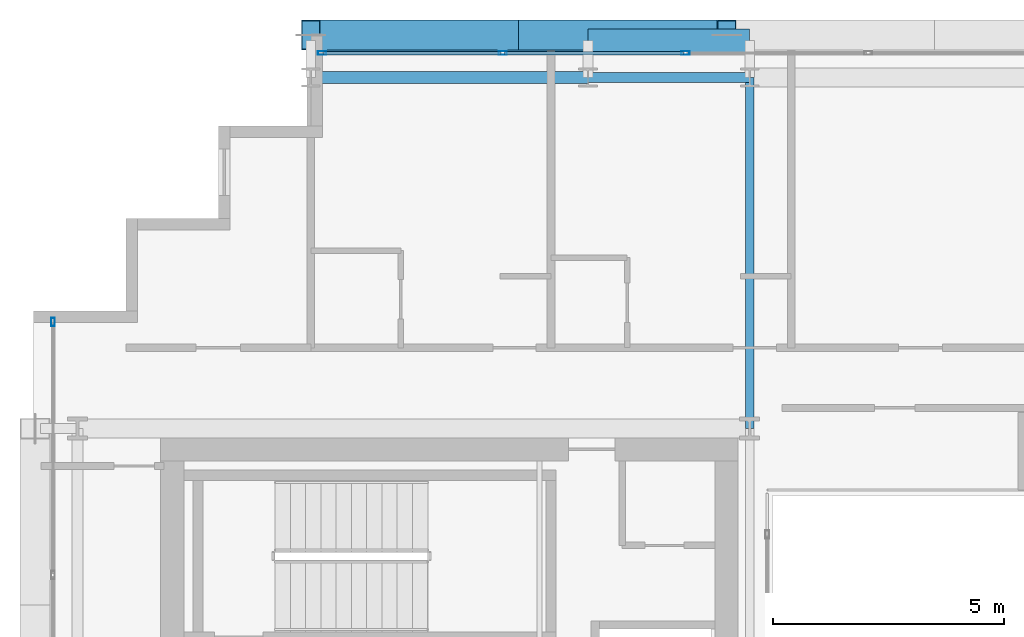
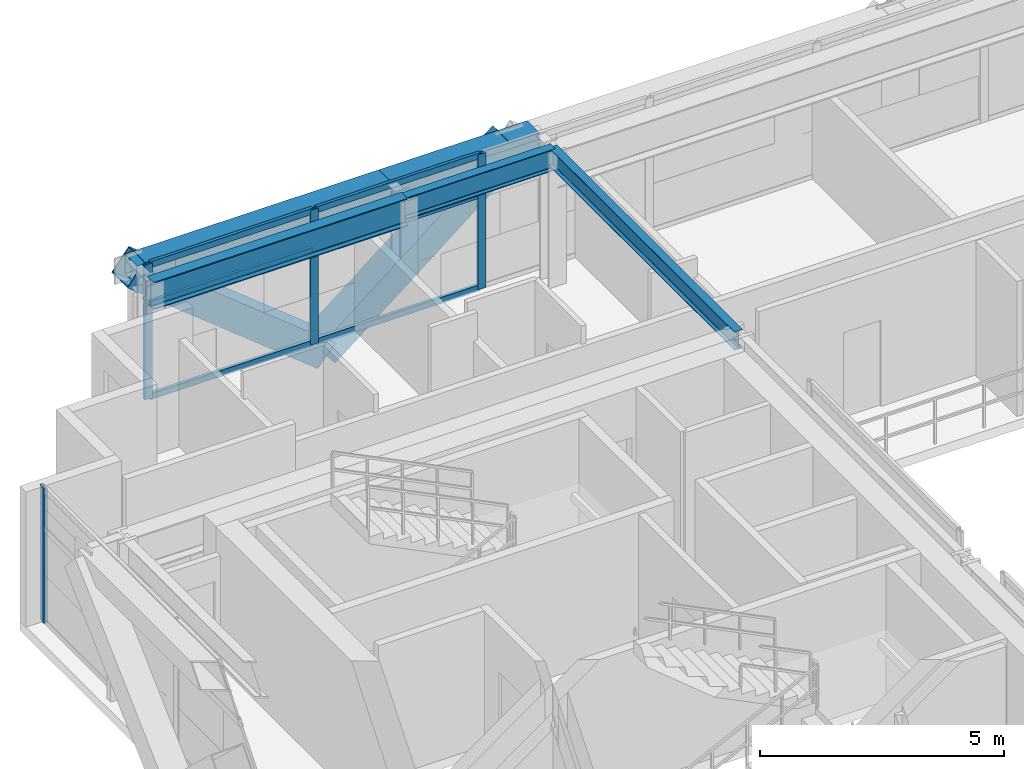
# One storey, part 20 of 37: 12 members, 5 beams, 2 elements without a shape of their own.
"""IFC4 building model written with IfcOpenShell, lengths in metres."""

from ifc_helpers import new_model, si_unit, direction, frame, origin, origin_2d, place, context, subcontext, project, spatial, hollow_rectangle, i_section, extrude, source, transform, mapped, material, layer, layer_set, material_profile, profile_set, type_object, element, aggregate, save


model = new_model("IFC4")

# Units and contexts
model_context = context("Model", 3, precision=1e-05, world=origin(), true_north=direction((0.0, 1.0)))
body_context = subcontext(model_context, "Body", "Model", "MODEL_VIEW")
ifc_project = project(units=[si_unit("LENGTHUNIT", "METRE"), si_unit("AREAUNIT", "SQUARE_METRE"), si_unit("VOLUMEUNIT", "CUBIC_METRE"), si_unit("PLANEANGLEUNIT", "RADIAN"), si_unit("MASSUNIT", "GRAM", prefix="KILO")], contexts=[model_context])

# Site, building, storey
site_placement = place(None, origin())
site = spatial("IfcSite", under=ifc_project, at=site_placement, CompositionType="ELEMENT")
building_placement = place(site_placement, origin())
building = spatial("IfcBuilding", under=site, at=building_placement, Name="Ocotamira Hotel", CompositionType="ELEMENT")
storey_placement = place(building_placement, frame((0.0, 0.0, 192.0)))
storey = spatial("IfcBuildingStorey", under=building, at=storey_placement, Name="L48", CompositionType="ELEMENT", Elevation=192.0)

# Beams
ifc_material_1 = material(Name="Steel ASTM A992 Grade 50", Category="steel")
ifc_material_profile_1 = material_profile(ifc_material_1, i_section(OverallWidth=0.256103515625, OverallDepth=0.693115234375, WebThickness=0.014404296875, FlangeThickness=0.023681640625, FilletRadius=0.01611328125, at=origin_2d()), Name="W27X114")
ifc_profile_set_1 = profile_set([ifc_material_profile_1], Name="Steel ASTM A992 Grade 50")
beam_type_1 = type_object("IfcBeamType", Name="BM-PRIM-W27X114", PredefinedType="BEAM", material=ifc_profile_set_1)
shared_shape_1 = source(origin(), body_context, "Body", "SweptSolid", [
    extrude(i_section(OverallWidth=0.256103515625, OverallDepth=0.693115234375, WebThickness=0.014404296875, FlangeThickness=0.023681640625, FilletRadius=0.01611328125, at=origin_2d()), origin(), (0.0, 0.0, 1.0), 6.0),
])
beam_1_placement = place(storey_placement, frame((14.0, 45.050048828125, 3.0234375), z_axis=(1.0, 0.0, 0.0), x_axis=(0.0, 1.0, 0.0)))
element("IfcBeam", 1, at=beam_1_placement, inside=storey, type_object=beam_type_1, Name="L48 Girder Y45.05 X14-20", PredefinedType="BEAM", context=body_context, shape_type="MappedRepresentation", body=[
    mapped(shared_shape_1, transform((0.0, 0.0, 0.0), scale=1.0)),
])
ifc_material_profile_2 = material_profile(ifc_material_1, i_section(OverallWidth=0.2099609375, OverallDepth=0.537109375, WebThickness=0.010986328125, FlangeThickness=0.017333984375, FilletRadius=0.012939453125, at=origin_2d()), Name="W21X68")
ifc_profile_set_2 = profile_set([ifc_material_profile_2], Name="Steel ASTM A992 Grade 50")
beam_type_2 = type_object("IfcBeamType", Name="BM-SEC-W21X68", PredefinedType="JOIST", material=ifc_profile_set_2)
shared_shape_2 = source(origin(), body_context, "Body", "SweptSolid", [
    extrude(i_section(OverallWidth=0.2099609375, OverallDepth=0.537109375, WebThickness=0.010986328125, FlangeThickness=0.017333984375, FilletRadius=0.012939453125, at=origin_2d()), origin(), (0.0, 0.0, 1.0), 3.5),
])
beam_2_placement = place(storey_placement, frame((20.0, 45.050048828125, 3.1015625), z_axis=(1.0, 0.0, 0.0), x_axis=(0.0, 1.0, 0.0)))
element("IfcBeam", 2, at=beam_2_placement, inside=storey, type_object=beam_type_2, Name="L48 Girder Y45.05 X20-23.5", PredefinedType="JOIST", context=body_context, shape_type="MappedRepresentation", body=[
    mapped(shared_shape_2, transform((0.0, 0.0, 0.0), scale=1.0)),
])
ifc_material_2 = material(Name="Steel ASTM A500 Grade C", Category="steel")
ifc_material_profile_3 = material_profile(ifc_material_2, hollow_rectangle(XDim=0.5, YDim=0.5, WallThickness=0.02001953125, at=origin_2d()), Name="HSS500X500X20")
ifc_profile_set_3 = profile_set([ifc_material_profile_3], Name="Steel ASTM A500 Grade C")
beam_type_3 = type_object("IfcBeamType", Name="BM-SPAN-HSS500", PredefinedType="USERDEFINED", material=ifc_profile_set_3)
shared_shape_3 = source(origin(), body_context, "Body", "SweptSolid", [
    extrude(hollow_rectangle(XDim=0.5, YDim=0.5, WallThickness=0.02001953125, at=origin_2d()), origin(), (0.0, 0.0, 1.0), 6.0),
])
beam_3_placement = place(storey_placement, frame((14.0, 45.85009765625, 3.1201171875), z_axis=(1.0, 0.0, 0.0), x_axis=(0.0, 1.0, 0.0)))
element("IfcBeam", 3, at=beam_3_placement, inside=storey, type_object=beam_type_3, Name="L48 Edge Spandrel N X14-20", ObjectType="SPANDREL", PredefinedType="USERDEFINED", context=body_context, shape_type="MappedRepresentation", body=[
    mapped(shared_shape_3, transform((0.0, 0.0, 0.0), scale=1.0)),
])
shared_shape_4 = source(origin(), body_context, "Body", "SweptSolid", [
    extrude(hollow_rectangle(XDim=0.5, YDim=0.5, WallThickness=0.02001953125, at=origin_2d()), origin(), (0.0, 0.0, 1.0), 3.5),
])
beam_4_placement = place(storey_placement, frame((20.0, 45.85009765625, 3.1201171875), z_axis=(1.0, 0.0, 0.0), x_axis=(0.0, 1.0, 0.0)))
element("IfcBeam", 4, at=beam_4_placement, inside=storey, type_object=beam_type_3, Name="L48 Edge Spandrel N X20-23.5", ObjectType="SPANDREL", PredefinedType="USERDEFINED", context=body_context, shape_type="MappedRepresentation", body=[
    mapped(shared_shape_4, transform((0.0, 0.0, 0.0), scale=1.0)),
])
ifc_material_profile_4 = material_profile(ifc_material_1, i_section(OverallWidth=0.18994140625, OverallDepth=0.45703125, WebThickness=0.009033203125, FlangeThickness=0.014404296875, FilletRadius=0.010009765625, at=origin_2d()), Name="W18X50")
ifc_profile_set_4 = profile_set([ifc_material_profile_4], Name="Steel ASTM A992 Grade 50")
beam_type_4 = type_object("IfcBeamType", Name="BM-SEC-W18X50", PredefinedType="JOIST", material=ifc_profile_set_4)
shared_shape_5 = source(origin(), body_context, "Body", "SweptSolid", [
    extrude(i_section(OverallWidth=0.18994140625, OverallDepth=0.45703125, WebThickness=0.009033203125, FlangeThickness=0.014404296875, FilletRadius=0.010009765625, at=origin_2d()), origin(), (0.0, 0.0, 1.0), 7.60009765625),
])
beam_5_placement = place(storey_placement, frame((23.5, 37.449951171875, 3.1416015625), z_axis=(0.0, 1.0, 0.0), x_axis=(-1.0, 0.0, 0.0)))
element("IfcBeam", 5, at=beam_5_placement, inside=storey, type_object=beam_type_4, Name="L48 Beam X23.5 Y37.45-45.05", PredefinedType="JOIST", context=body_context, shape_type="MappedRepresentation", body=[
    mapped(shared_shape_5, transform((0.0, 0.0, 0.0), scale=1.0)),
])

# Members
ifc_material_3 = material(Name="Pale-metal coated steel ASTM A913 Grade 65", Category="steel")
ifc_material_profile_5 = material_profile(ifc_material_3, hollow_rectangle(XDim=0.64990234375, YDim=0.64990234375, WallThickness=0.02197265625, at=origin_2d()), Name="BOX650X650X22")
ifc_profile_set_5 = profile_set([ifc_material_profile_5], Name="Pale-metal coated steel ASTM A913 Grade 65")
member_type_1 = type_object("IfcMemberType", Name="MEM-EXO-BOX650", PredefinedType="BRACE", material=ifc_profile_set_5)
shared_shape_6 = source(origin(), body_context, "Body", "SweptSolid", [
    extrude(hollow_rectangle(XDim=0.64990234375, YDim=0.64990234375, WallThickness=0.02197265625, at=origin_2d()), origin(), (0.0, 0.0, 1.0), 5.762939453125),
])
for number, where, z_axis, x_axis, name in (
    (6, (18.5, 45.969970703125, -0.47998046875), (-0.780860543151, 0.0, 0.624705380279), (0.0, -1.0, 0.0), "L48 Exoskeleton Diagrid N0.1"),
    (7, (18.5, 45.969970703125, -0.47998046875), (0.780860543151, 0.0, 0.624705380279), (0.0, 1.0, 0.0), "L48 Exoskeleton Diagrid N0.2"),
):
    element("IfcMember", number, at=place(storey_placement, frame(where, z_axis=z_axis, x_axis=x_axis)), inside=storey, type_object=member_type_1, Name=name, PredefinedType="BRACE", context=body_context, shape_type="MappedRepresentation", body=[
        mapped(shared_shape_6, transform((0.0, 0.0, 0.0), scale=1.0)),
    ])

# Curtain wall, members
ifc_material_4 = material(Name="Anodised pale-metal aluminium and solar glass", Category="aluminium")
ifc_layer = layer(ifc_material_4, 0.199951171875)
ifc_layer_set = layer_set([ifc_layer], Name="Anodised pale-metal aluminium and solar glass")
curtain_wall_type = type_object("IfcCurtainWallType", Name="CW-SYS4-Z3", PredefinedType="NOTDEFINED", material=ifc_layer_set)
curtain_wall_1_placement = place(storey_placement, origin())
curtain_wall_1 = element("IfcCurtainWall", 8, at=curtain_wall_1_placement, inside=storey, type_object=curtain_wall_type, Name="L48 Curtain Wall CW-4 CW-L48-N", PredefinedType="NOTDEFINED")
ifc_material_5 = material(Name="Anodised pale-metal aluminium 6063-T6", Category="aluminium")
ifc_material_profile_6 = material_profile(ifc_material_5, hollow_rectangle(XDim=0.074951171875, YDim=0.14990234375, WallThickness=0.006103515625, at=origin_2d()), Name="HSS150X75X6")
ifc_profile_set_6 = profile_set([ifc_material_profile_6], Name="Anodised pale-metal aluminium 6063-T6")
member_type_2 = type_object("IfcMemberType", Name="CWT-150X75", PredefinedType="USERDEFINED", material=ifc_profile_set_6)
shared_shape_7 = source(origin(), body_context, "Body", "SweptSolid", [
    extrude(hollow_rectangle(XDim=0.074951171875, YDim=0.14990234375, WallThickness=0.006103515625, at=origin_2d()), origin(), (0.0, 0.0, 1.0), 3.83544921875),
])
member_1_placement = place(storey_placement, frame((14.280029296875, 45.580078125, 0.03759765625), z_axis=(1.0, 0.0, 0.0), x_axis=(0.0, 1.0, 0.0)))
member_1 = element("IfcMember", 9, at=member_1_placement, type_object=member_type_2, Name="CW-4 transom 1.1", ObjectType="TRANSOM", PredefinedType="USERDEFINED", context=body_context, shape_type="MappedRepresentation", body=[
    mapped(shared_shape_7, transform((0.0, 0.0, 0.0), scale=1.0)),
])
member_2_placement = place(storey_placement, frame((14.280029296875, 45.580078125, 2.35009765625), z_axis=(1.0, 0.0, 0.0), x_axis=(0.0, 1.0, 0.0)))
member_2 = element("IfcMember", 10, at=member_2_placement, type_object=member_type_2, Name="CW-4 transom 1.2", ObjectType="TRANSOM", PredefinedType="USERDEFINED", context=body_context, shape_type="MappedRepresentation", body=[
    mapped(shared_shape_7, transform((0.0, 0.0, 0.0), scale=1.0)),
])
member_3_placement = place(storey_placement, frame((14.280029296875, 45.580078125, 3.33251953125), z_axis=(1.0, 0.0, 0.0), x_axis=(0.0, 1.0, 0.0)))
member_3 = element("IfcMember", 11, at=member_3_placement, type_object=member_type_2, Name="CW-4 transom 1.3", ObjectType="TRANSOM", PredefinedType="USERDEFINED", context=body_context, shape_type="MappedRepresentation", body=[
    mapped(shared_shape_7, transform((0.0, 0.0, 0.0), scale=1.0)),
])
shared_shape_8 = source(origin(), body_context, "Body", "SweptSolid", [
    extrude(hollow_rectangle(XDim=0.074951171875, YDim=0.14990234375, WallThickness=0.006103515625, at=origin_2d()), origin(), (0.0, 0.0, 1.0), 3.87548828125),
])
member_4_placement = place(storey_placement, frame((18.195556640625, 45.580078125, 0.03759765625), z_axis=(1.0, 0.0, 0.0), x_axis=(0.0, 1.0, 0.0)))
member_4 = element("IfcMember", 12, at=member_4_placement, type_object=member_type_2, Name="CW-4 transom 2.1", ObjectType="TRANSOM", PredefinedType="USERDEFINED", context=body_context, shape_type="MappedRepresentation", body=[
    mapped(shared_shape_8, transform((0.0, 0.0, 0.0), scale=1.0)),
])
member_5_placement = place(storey_placement, frame((18.195556640625, 45.580078125, 2.35009765625), z_axis=(1.0, 0.0, 0.0), x_axis=(0.0, 1.0, 0.0)))
member_5 = element("IfcMember", 13, at=member_5_placement, type_object=member_type_2, Name="CW-4 transom 2.2", ObjectType="TRANSOM", PredefinedType="USERDEFINED", context=body_context, shape_type="MappedRepresentation", body=[
    mapped(shared_shape_8, transform((0.0, 0.0, 0.0), scale=1.0)),
])
member_6_placement = place(storey_placement, frame((18.195556640625, 45.580078125, 3.33251953125), z_axis=(1.0, 0.0, 0.0), x_axis=(0.0, 1.0, 0.0)))
member_6 = element("IfcMember", 14, at=member_6_placement, type_object=member_type_2, Name="CW-4 transom 2.3", ObjectType="TRANSOM", PredefinedType="USERDEFINED", context=body_context, shape_type="MappedRepresentation", body=[
    mapped(shared_shape_8, transform((0.0, 0.0, 0.0), scale=1.0)),
])
ifc_material_profile_7 = material_profile(ifc_material_5, hollow_rectangle(XDim=0.080078125, YDim=0.179931640625, WallThickness=0.006103515625, at=origin_2d()), Name="HSS180X80X6")
ifc_profile_set_7 = profile_set([ifc_material_profile_7], Name="Anodised pale-metal aluminium 6063-T6")
member_type_3 = type_object("IfcMemberType", Name="CWM-180X75", PredefinedType="MULLION", material=ifc_profile_set_7)
shared_shape_9 = source(origin(), body_context, "Body", "SweptSolid", [
    extrude(hollow_rectangle(XDim=0.080078125, YDim=0.179931640625, WallThickness=0.006103515625, at=origin_2d()), origin(), (0.0, 0.0, 1.0), 3.3701171875),
])
member_7_placement = place(storey_placement, frame((14.239990234375, 45.580078125, 0.0), z_axis=(0.0, 0.0, 1.0), x_axis=(0.0, 1.0, 0.0)))
member_7 = element("IfcMember", 15, at=member_7_placement, type_object=member_type_3, Name="CW-4 mullion 1", PredefinedType="MULLION", context=body_context, shape_type="MappedRepresentation", body=[
    mapped(shared_shape_9, transform((0.0, 0.0, 0.0), scale=1.0)),
])
member_8_placement = place(storey_placement, frame((18.155517578125, 45.580078125, 0.0), z_axis=(0.0, 0.0, 1.0), x_axis=(0.0, 1.0, 0.0)))
member_8 = element("IfcMember", 16, at=member_8_placement, type_object=member_type_3, Name="CW-4 mullion 2", PredefinedType="MULLION", context=body_context, shape_type="MappedRepresentation", body=[
    mapped(shared_shape_9, transform((0.0, 0.0, 0.0), scale=1.0)),
])
member_9_placement = place(storey_placement, frame((22.111083984375, 45.580078125, 0.0), z_axis=(0.0, 0.0, 1.0), x_axis=(0.0, 1.0, 0.0)))
member_9 = element("IfcMember", 17, at=member_9_placement, type_object=member_type_3, Name="CW-4 mullion 3", PredefinedType="MULLION", context=body_context, shape_type="MappedRepresentation", body=[
    mapped(shared_shape_9, transform((0.0, 0.0, 0.0), scale=1.0)),
])
aggregate(curtain_wall_1, [member_7, member_8, member_9, member_1, member_2, member_3, member_4, member_5, member_6])

# Curtain wall, member
curtain_wall_2_placement = place(storey_placement, origin())
curtain_wall_2 = element("IfcCurtainWall", 18, at=curtain_wall_2_placement, inside=storey, type_object=curtain_wall_type, Name="L48 Curtain Wall CW-4 CW-L48-W", PredefinedType="NOTDEFINED")
member_10_placement = place(storey_placement, frame((8.419921875, 39.760009765625, 0.0), z_axis=(0.0, 0.0, 1.0), x_axis=(-1.0, 0.0, 0.0)))
member_10 = element("IfcMember", 19, at=member_10_placement, type_object=member_type_3, Name="CW-4 mullion 6", PredefinedType="MULLION", context=body_context, shape_type="MappedRepresentation", body=[
    mapped(shared_shape_9, transform((0.0, 0.0, 0.0), scale=1.0)),
])
aggregate(curtain_wall_2, [member_10])

save(model, "model.ifc")
